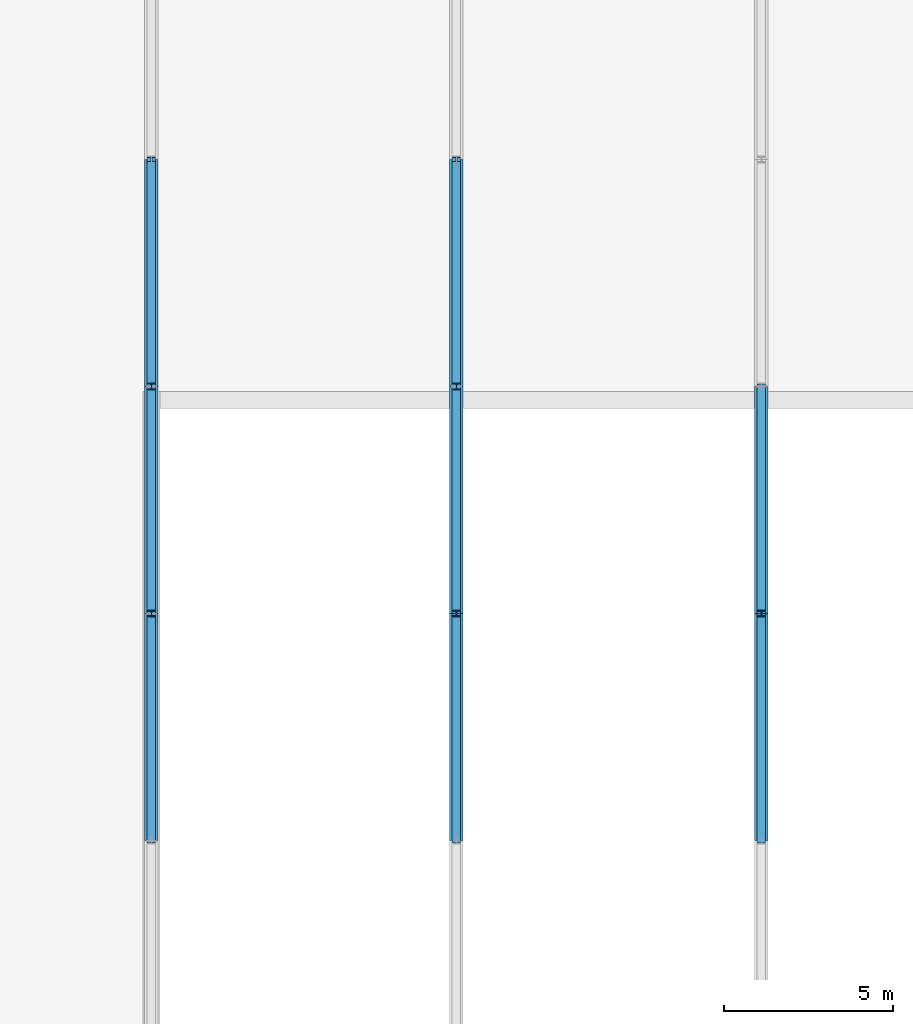
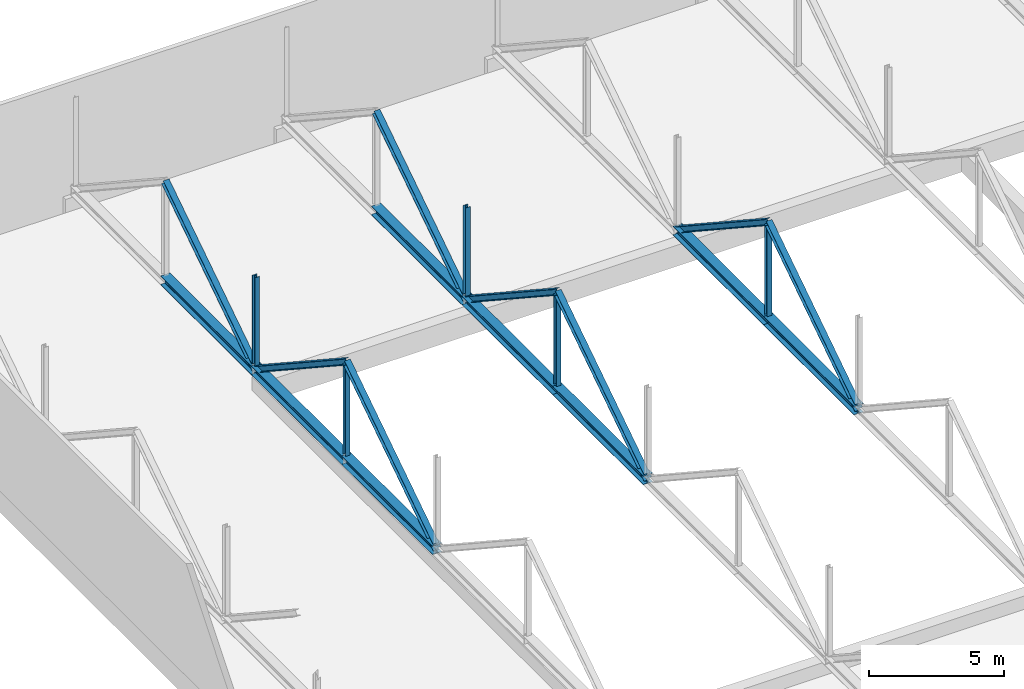
# One storey, part 13 of 49: 21 members.
"""IFC4 building model written with IfcOpenShell, lengths in metres."""

from ifc_helpers import new_model, si_unit, direction, frame, origin, origin_2d, place, context, subcontext, project, spatial, i_section, extrude, material, material_profile, profile_set, type_object, element, save


model = new_model("IFC4")

# Units and contexts
model_context = context("Model", 3, precision=1e-05, world=origin(), true_north=direction((0.0, 1.0)))
body_context = subcontext(model_context, "Body", "Model", "MODEL_VIEW")
ifc_project = project(units=[si_unit("LENGTHUNIT", "METRE"), si_unit("AREAUNIT", "SQUARE_METRE"), si_unit("VOLUMEUNIT", "CUBIC_METRE"), si_unit("PLANEANGLEUNIT", "RADIAN"), si_unit("MASSUNIT", "GRAM", prefix="KILO")], contexts=[model_context])

# Site, building, storey
site_placement = place(None, origin())
site = spatial("IfcSite", under=ifc_project, at=site_placement, CompositionType="ELEMENT")
building_placement = place(site_placement, origin())
building = spatial("IfcBuilding", under=site, at=building_placement, Name="Hunhe Ridgeline Campus", CompositionType="ELEMENT")
storey_placement = place(building_placement, frame((0.0, 0.0, 21.60009765625)))
storey = spatial("IfcBuildingStorey", under=building, at=storey_placement, Name="L04", CompositionType="ELEMENT", Elevation=21.60009765625)

# Members
ifc_material = material(Name="Steel Q355", Category="steel")
ifc_material_profile_1 = material_profile(ifc_material, i_section(OverallWidth=0.39990234375, OverallDepth=0.39990234375, WebThickness=0.012939453125, FlangeThickness=0.02099609375, FilletRadius=0.02197265625, at=origin_2d()))
ifc_profile_set_1 = profile_set([ifc_material_profile_1], Name="Steel Q355")
member_type_1 = type_object("IfcMemberType", Name="Roof truss chord HW400x400x13x21 Q355", PredefinedType="CHORD", material=ifc_profile_set_1)
for number, where, z_axis, x_axis, name in (
    (1, (162.0, 49.5, 0.789794921875), (0.0, 1.0, 0.0), (-1.0, 0.0, 0.0), "Roof truss 2 bottom chord 5"),
    (2, (162.0, 56.199951171875, 0.789794921875), (0.0, 1.0, 0.0), (-1.0, 0.0, 0.0), "Roof truss 2 bottom chord 6"),
):
    element("IfcMember", number, at=place(storey_placement, frame(where, z_axis=z_axis, x_axis=x_axis)), inside=storey, type_object=member_type_1, Name=name, PredefinedType="CHORD", context=body_context, shape_type="SweptSolid", body=[
        extrude(i_section(OverallWidth=0.39990234375, OverallDepth=0.39990234375, WebThickness=0.012939453125, FlangeThickness=0.02099609375, FilletRadius=0.02197265625, at=origin_2d()), origin(), (0.0, 0.0, 1.0), 6.699951171875),
    ])
member_1_placement = place(storey_placement, frame((162.0, 62.89990234375, 0.789794921875), z_axis=(0.0, 1.0, 0.0), x_axis=(-1.0, 0.0, 0.0)))
element("IfcMember", 3, at=member_1_placement, inside=storey, type_object=member_type_1, Name="Roof truss 2 bottom chord 7", PredefinedType="CHORD", context=body_context, shape_type="SweptSolid", body=[
    extrude(i_section(OverallWidth=0.39990234375, OverallDepth=0.39990234375, WebThickness=0.012939453125, FlangeThickness=0.02099609375, FilletRadius=0.02197265625, at=origin_2d()), origin(), (0.0, 0.0, 1.0), 6.7001953125),
])
for number, where, z_axis, x_axis, name in (
    (4, (171.0, 49.5, 0.789794921875), (0.0, 1.0, 0.0), (-1.0, 0.0, 0.0), "Roof truss 3 bottom chord 5"),
    (5, (171.0, 56.199951171875, 0.789794921875), (0.0, 1.0, 0.0), (-1.0, 0.0, 0.0), "Roof truss 3 bottom chord 6"),
):
    element("IfcMember", number, at=place(storey_placement, frame(where, z_axis=z_axis, x_axis=x_axis)), inside=storey, type_object=member_type_1, Name=name, PredefinedType="CHORD", context=body_context, shape_type="SweptSolid", body=[
        extrude(i_section(OverallWidth=0.39990234375, OverallDepth=0.39990234375, WebThickness=0.012939453125, FlangeThickness=0.02099609375, FilletRadius=0.02197265625, at=origin_2d()), origin(), (0.0, 0.0, 1.0), 6.699951171875),
    ])
member_2_placement = place(storey_placement, frame((171.0, 62.89990234375, 0.789794921875), z_axis=(0.0, 1.0, 0.0), x_axis=(-1.0, 0.0, 0.0)))
element("IfcMember", 6, at=member_2_placement, inside=storey, type_object=member_type_1, Name="Roof truss 3 bottom chord 7", PredefinedType="CHORD", context=body_context, shape_type="SweptSolid", body=[
    extrude(i_section(OverallWidth=0.39990234375, OverallDepth=0.39990234375, WebThickness=0.012939453125, FlangeThickness=0.02099609375, FilletRadius=0.02197265625, at=origin_2d()), origin(), (0.0, 0.0, 1.0), 6.7001953125),
])
for number, where, z_axis, x_axis, name in (
    (7, (180.0, 49.5, 0.789794921875), (0.0, 1.0, 0.0), (-1.0, 0.0, 0.0), "Roof truss 4 bottom chord 5"),
    (8, (180.0, 56.199951171875, 0.789794921875), (0.0, 1.0, 0.0), (-1.0, 0.0, 0.0), "Roof truss 4 bottom chord 6"),
):
    element("IfcMember", number, at=place(storey_placement, frame(where, z_axis=z_axis, x_axis=x_axis)), inside=storey, type_object=member_type_1, Name=name, PredefinedType="CHORD", context=body_context, shape_type="SweptSolid", body=[
        extrude(i_section(OverallWidth=0.39990234375, OverallDepth=0.39990234375, WebThickness=0.012939453125, FlangeThickness=0.02099609375, FilletRadius=0.02197265625, at=origin_2d()), origin(), (0.0, 0.0, 1.0), 6.699951171875),
    ])
ifc_material_profile_2 = material_profile(ifc_material, i_section(OverallWidth=0.25, OverallDepth=0.25, WebThickness=0.009033203125, FlangeThickness=0.013916015625, FilletRadius=0.012939453125, at=origin_2d()))
ifc_profile_set_2 = profile_set([ifc_material_profile_2], Name="Steel Q355")
member_type_2 = type_object("IfcMemberType", Name="Roof truss diagonal HW250x250x9x14 Q355", PredefinedType="BRACE", material=ifc_profile_set_2)
for number, where, z_axis, x_axis, name in (
    (9, (162.0, 49.5, 0.789794921875), (0.0, 0.835858813721, 0.548944481277), (-1.0, 0.0, 0.0), "Roof truss 2 diagonal 5"),
    (10, (162.0, 56.199951171875, 5.18994140625), (0.0, 0.835858813721, -0.548944481277), (-1.0, 0.0, 0.0), "Roof truss 2 diagonal 6"),
):
    element("IfcMember", number, at=place(storey_placement, frame(where, z_axis=z_axis, x_axis=x_axis)), inside=storey, type_object=member_type_2, Name=name, PredefinedType="BRACE", context=body_context, shape_type="SweptSolid", body=[
        extrude(i_section(OverallWidth=0.25, OverallDepth=0.25, WebThickness=0.009033203125, FlangeThickness=0.013916015625, FilletRadius=0.012939453125, at=origin_2d()), origin(), (0.0, 0.0, 1.0), 8.015625),
    ])
member_3_placement = place(storey_placement, frame((162.0, 62.89990234375, 0.789794921875), z_axis=(0.0, 0.835867991585, 0.548930506207), x_axis=(-1.0, 0.0, 0.0)))
element("IfcMember", 11, at=member_3_placement, inside=storey, type_object=member_type_2, Name="Roof truss 2 diagonal 7", PredefinedType="BRACE", context=body_context, shape_type="SweptSolid", body=[
    extrude(i_section(OverallWidth=0.25, OverallDepth=0.25, WebThickness=0.009033203125, FlangeThickness=0.013916015625, FilletRadius=0.012939453125, at=origin_2d()), origin(), (0.0, 0.0, 1.0), 8.015869140625),
])
for number, where, z_axis, x_axis, name in (
    (12, (171.0, 49.5, 0.789794921875), (0.0, 0.835858813721, 0.548944481277), (-1.0, 0.0, 0.0), "Roof truss 3 diagonal 5"),
    (13, (171.0, 56.199951171875, 5.18994140625), (0.0, 0.835858813721, -0.548944481277), (-1.0, 0.0, 0.0), "Roof truss 3 diagonal 6"),
):
    element("IfcMember", number, at=place(storey_placement, frame(where, z_axis=z_axis, x_axis=x_axis)), inside=storey, type_object=member_type_2, Name=name, PredefinedType="BRACE", context=body_context, shape_type="SweptSolid", body=[
        extrude(i_section(OverallWidth=0.25, OverallDepth=0.25, WebThickness=0.009033203125, FlangeThickness=0.013916015625, FilletRadius=0.012939453125, at=origin_2d()), origin(), (0.0, 0.0, 1.0), 8.015625),
    ])
member_4_placement = place(storey_placement, frame((171.0, 62.89990234375, 0.789794921875), z_axis=(0.0, 0.835867991585, 0.548930506207), x_axis=(-1.0, 0.0, 0.0)))
element("IfcMember", 14, at=member_4_placement, inside=storey, type_object=member_type_2, Name="Roof truss 3 diagonal 7", PredefinedType="BRACE", context=body_context, shape_type="SweptSolid", body=[
    extrude(i_section(OverallWidth=0.25, OverallDepth=0.25, WebThickness=0.009033203125, FlangeThickness=0.013916015625, FilletRadius=0.012939453125, at=origin_2d()), origin(), (0.0, 0.0, 1.0), 8.015869140625),
])
for number, where, z_axis, x_axis, name in (
    (15, (180.0, 49.5, 0.789794921875), (0.0, 0.835858813721, 0.548944481277), (-1.0, 0.0, 0.0), "Roof truss 4 diagonal 5"),
    (16, (180.0, 56.199951171875, 5.18994140625), (0.0, 0.835858813721, -0.548944481277), (-1.0, 0.0, 0.0), "Roof truss 4 diagonal 6"),
):
    element("IfcMember", number, at=place(storey_placement, frame(where, z_axis=z_axis, x_axis=x_axis)), inside=storey, type_object=member_type_2, Name=name, PredefinedType="BRACE", context=body_context, shape_type="SweptSolid", body=[
        extrude(i_section(OverallWidth=0.25, OverallDepth=0.25, WebThickness=0.009033203125, FlangeThickness=0.013916015625, FilletRadius=0.012939453125, at=origin_2d()), origin(), (0.0, 0.0, 1.0), 8.015625),
    ])
ifc_material_profile_3 = material_profile(ifc_material, i_section(OverallWidth=0.199951171875, OverallDepth=0.199951171875, WebThickness=0.008056640625, FlangeThickness=0.011962890625, FilletRadius=0.012939453125, at=origin_2d()))
ifc_profile_set_3 = profile_set([ifc_material_profile_3], Name="Steel Q355")
member_type_3 = type_object("IfcMemberType", Name="Roof truss post HW200x200x8x12 Q355", PredefinedType="POST", material=ifc_profile_set_3)
for number, where, z_axis, x_axis, name in (
    (17, (162.0, 56.199951171875, 0.989990234375), (0.0, 0.0, 1.0), (1.0, 0.0, 0.0), "Roof truss 2 post 5"),
    (18, (162.0, 62.89990234375, 0.989990234375), (0.0, 0.0, 1.0), (1.0, 0.0, 0.0), "Roof truss 2 post 6"),
    (19, (171.0, 56.199951171875, 0.989990234375), (0.0, 0.0, 1.0), (1.0, 0.0, 0.0), "Roof truss 3 post 5"),
    (20, (171.0, 62.89990234375, 0.989990234375), (0.0, 0.0, 1.0), (1.0, 0.0, 0.0), "Roof truss 3 post 6"),
    (21, (180.0, 56.199951171875, 0.989990234375), (0.0, 0.0, 1.0), (1.0, 0.0, 0.0), "Roof truss 4 post 5"),
):
    element("IfcMember", number, at=place(storey_placement, frame(where, z_axis=z_axis, x_axis=x_axis)), inside=storey, type_object=member_type_3, Name=name, PredefinedType="POST", context=body_context, shape_type="SweptSolid", body=[
        extrude(i_section(OverallWidth=0.199951171875, OverallDepth=0.199951171875, WebThickness=0.008056640625, FlangeThickness=0.011962890625, FilletRadius=0.012939453125, at=origin_2d()), origin(), (0.0, 0.0, 1.0), 4.0),
    ])

save(model, "model.ifc")
